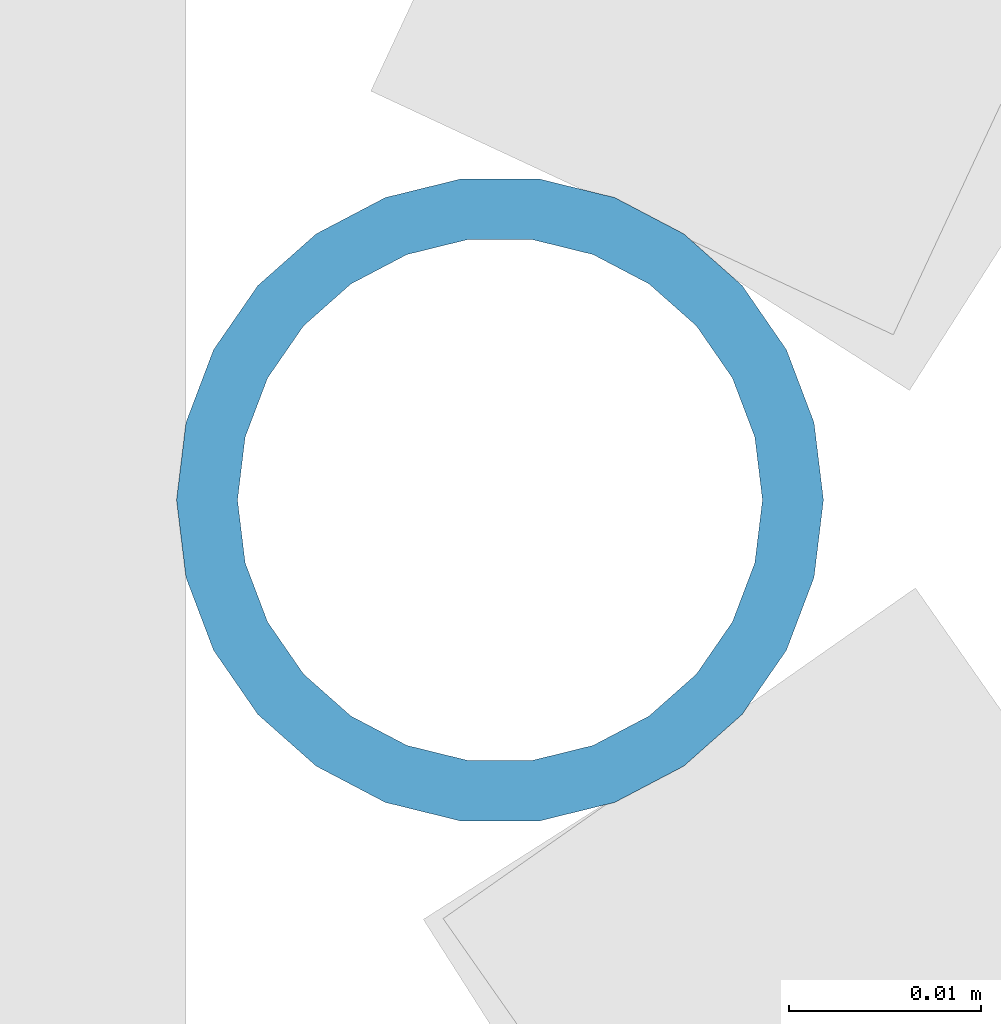
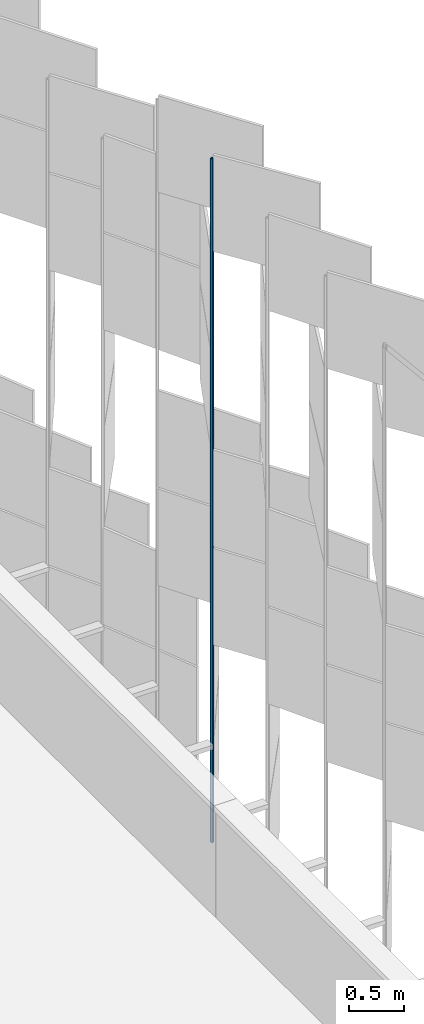
# One storey, part 275 of 483: 1 discrete accessory.
"""IFC4 building model written with IfcOpenShell, lengths in metres."""

from ifc_helpers import new_model, si_unit, direction, frame, origin, origin_2d, place, context, subcontext, project, spatial, hollow_circle, extrude, material, material_profile, profile_set, type_object, element, save


model = new_model("IFC4")

# Units and contexts
model_context = context("Model", 3, precision=1e-05, world=origin(), true_north=direction((0.0, 1.0)))
body_context = subcontext(model_context, "Body", "Model", "MODEL_VIEW")
ifc_project = project(units=[si_unit("LENGTHUNIT", "METRE"), si_unit("AREAUNIT", "SQUARE_METRE"), si_unit("VOLUMEUNIT", "CUBIC_METRE"), si_unit("PLANEANGLEUNIT", "RADIAN"), si_unit("MASSUNIT", "GRAM", prefix="KILO")], contexts=[model_context])

# Site, building, storey
site_placement = place(None, origin())
site = spatial("IfcSite", under=ifc_project, at=site_placement, CompositionType="ELEMENT")
building_placement = place(site_placement, origin())
building = spatial("IfcBuilding", under=site, at=building_placement, Name="Parallax Yard Mobility Hub", CompositionType="ELEMENT")
storey_placement = place(building_placement, frame((0.0, 0.0, 13.199951171875)))
storey = spatial("IfcBuildingStorey", under=building, at=storey_placement, Name="L04", CompositionType="ELEMENT", Elevation=13.199951171875)

# Discrete accessory
ifc_material = material(Name="Steel ASTM A500 Gr C, hot-dip galvanised", Category="steel")
ifc_material_profile = material_profile(ifc_material, hollow_circle(Radius=0.016845703125, WallThickness=0.003173828125, at=origin_2d()), Name="CHS 33.7x3.2")
ifc_profile_set = profile_set([ifc_material_profile], Name="Steel ASTM A500 Gr C, hot-dip galvanised")
discrete_accessory_type = type_object("IfcDiscreteAccessoryType", Name="Hinge post CHS 33.7x3.2", PredefinedType="BRACKET", material=ifc_profile_set)
discrete_accessory_placement = place(storey_placement, frame((225.330810546875, 76.06982421875, 0.0), z_axis=(0.0, 0.0, 1.0), x_axis=(1.0, 0.0, 0.0)))
element("IfcDiscreteAccessory", 1, at=discrete_accessory_placement, inside=storey, type_object=discrete_accessory_type, Name="Hinge post bay 39.2 level L04", PredefinedType="BRACKET", context=body_context, shape_type="SweptSolid", body=[
    extrude(hollow_circle(Radius=0.016845703125, WallThickness=0.003173828125, at=origin_2d()), origin(), (0.0, 0.0, 1.0), 7.650146484375),
])

save(model, "model.ifc")
